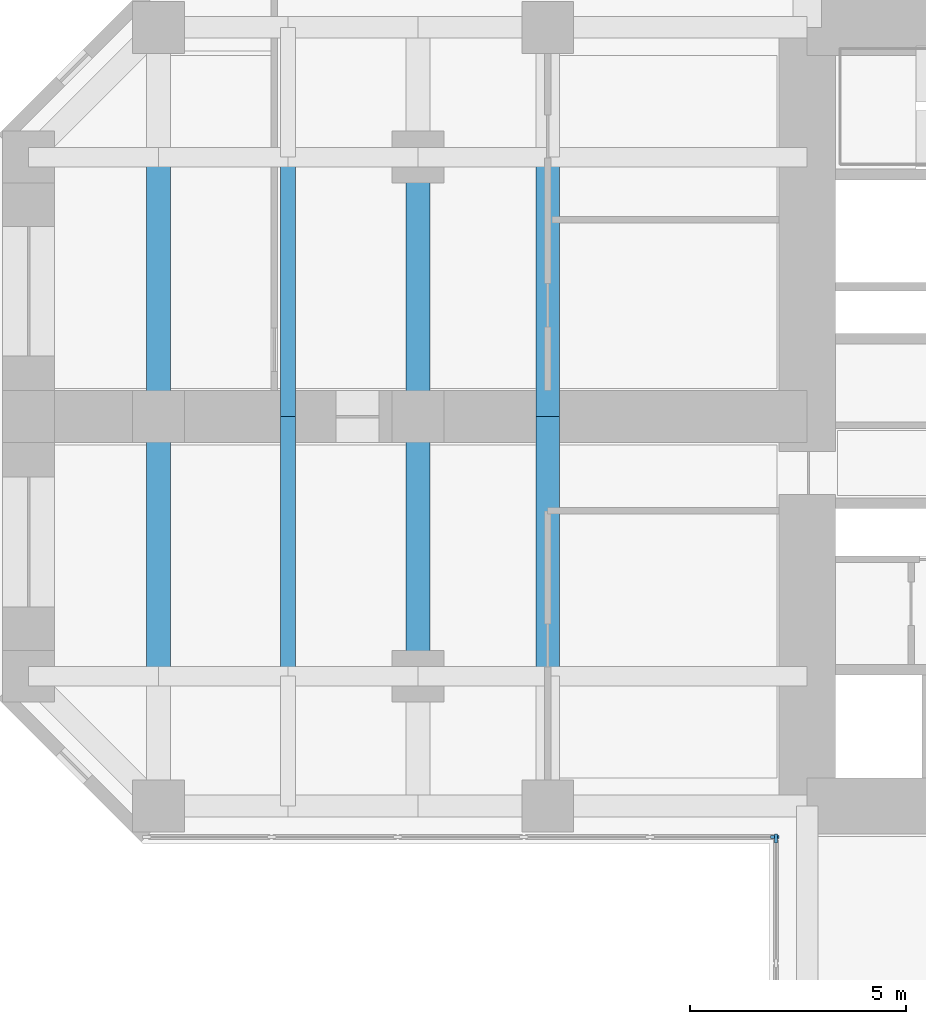
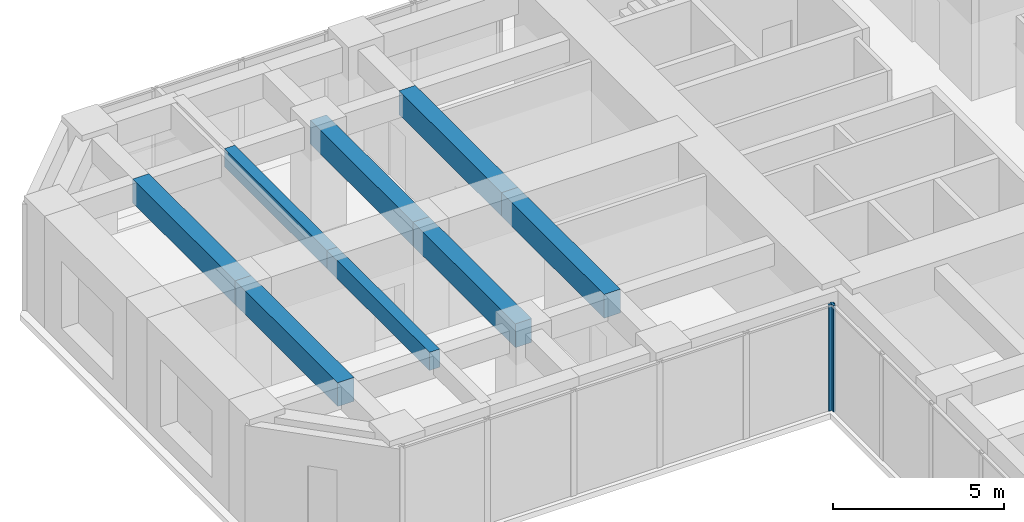
# One storey, part 3 of 12: 8 beams, 2 members, 2 elements without a shape of their own.
"""IFC4 building model written with IfcOpenShell, lengths in metres."""

from ifc_helpers import new_model, si_unit, direction, frame, origin, origin_2d, place, context, subcontext, project, spatial, rectangle, extrude, material, material_profile, profile_set, type_object, element, aggregate, save


model = new_model("IFC4")

# Units and contexts
model_context = context("Model", 3, precision=1e-05, world=origin(), true_north=direction((0.0, 1.0)))
body_context = subcontext(model_context, "Body", "Model", "MODEL_VIEW")
ifc_project = project(units=[si_unit("LENGTHUNIT", "METRE"), si_unit("AREAUNIT", "SQUARE_METRE"), si_unit("VOLUMEUNIT", "CUBIC_METRE"), si_unit("PLANEANGLEUNIT", "RADIAN"), si_unit("MASSUNIT", "GRAM", prefix="KILO")], contexts=[model_context])

# Site, building, storey
site_placement = place(None, origin())
site = spatial("IfcSite", under=ifc_project, at=site_placement, CompositionType="ELEMENT")
building_placement = place(site_placement, origin())
building = spatial("IfcBuilding", under=site, at=building_placement, Name="Torre Cruceta", CompositionType="ELEMENT")
storey_placement = place(building_placement, frame((0.0, 0.0, 87.5)))
storey = spatial("IfcBuildingStorey", under=building, at=storey_placement, Name="L21", CompositionType="ELEMENT", Elevation=87.5)

# Beams
ifc_material_1 = material(Name="Concrete G60 (fck 60 MPa)", Category="concrete")
ifc_material_profile_1 = material_profile(ifc_material_1, rectangle(XDim=0.550048828125, YDim=0.85009765625, at=origin_2d()), Name="RC 550X850")
ifc_profile_set_1 = profile_set([ifc_material_profile_1], Name="Concrete G60 (fck 60 MPa)")
beam_type_1 = type_object("IfcBeamType", Name="CROSS BEAM RC 550X850", PredefinedType="BEAM", material=ifc_profile_set_1)
for number, where, z_axis, x_axis, name in (
    (1, (-15.0, 6.0, 3.375), (0.0, -1.0, 0.0), (1.0, 0.0, 0.0), "GB4 L21 W cross15 2"),
    (2, (-15.0, 0.0, 3.375), (0.0, -1.0, 0.0), (1.0, 0.0, 0.0), "GB4 L21 W cross15 3"),
    (3, (-18.0, 6.0, 3.375), (0.0, -1.0, 0.0), (1.0, 0.0, 0.0), "GB4 L21 W cross18 2"),
    (4, (-18.0, 0.0, 3.375), (0.0, -1.0, 0.0), (1.0, 0.0, 0.0), "GB4 L21 W cross18 3"),
    (5, (-24.0, 6.0, 3.375), (0.0, -1.0, 0.0), (1.0, 0.0, 0.0), "GB4 L21 W cross24 2"),
    (6, (-24.0, 0.0, 3.375), (0.0, -1.0, 0.0), (1.0, 0.0, 0.0), "GB4 L21 W cross24 3"),
):
    element("IfcBeam", number, at=place(storey_placement, frame(where, z_axis=z_axis, x_axis=x_axis)), inside=storey, type_object=beam_type_1, Name=name, PredefinedType="BEAM", context=body_context, shape_type="SweptSolid", body=[
        extrude(rectangle(XDim=0.550048828125, YDim=0.85009765625, at=origin_2d()), origin(), (0.0, 0.0, 1.0), 6.0),
    ])

# Curtain wall, member
ifc_material_2 = material(Name="Aluminium unitised curtain wall", Category="aluminium")
curtain_wall_type = type_object("IfcCurtainWallType", Name="CURTAIN WALL CW-A OFFICE LOW RISE", PredefinedType="USERDEFINED", material=ifc_material_2)
curtain_wall_1_placement = place(storey_placement, origin())
curtain_wall_1 = element("IfcCurtainWall", 7, at=curtain_wall_1_placement, inside=storey, type_object=curtain_wall_type, Name="CW-A L21 W side 14", ObjectType="UNITISED", PredefinedType="USERDEFINED")
ifc_material_3 = material(Name="Aluminium mullion", Category="aluminium")
ifc_material_profile_2 = material_profile(ifc_material_3, rectangle(XDim=0.06494140625, YDim=0.199951171875, at=origin_2d()), Name="AL 65X200")
ifc_profile_set_2 = profile_set([ifc_material_profile_2], Name="Aluminium mullion")
member_type = type_object("IfcMemberType", Name="CW-A MULLION 65X200", PredefinedType="MULLION", material=ifc_profile_set_2)
member_1_placement = place(storey_placement, frame((-9.75244140625, -9.719970703125, 0.0), z_axis=(0.0, 0.0, 1.0), x_axis=(0.0, 1.0, 0.0)))
member_1 = element("IfcMember", 8, at=member_1_placement, type_object=member_type, Name="CW-A mullion 6", PredefinedType="MULLION", context=body_context, shape_type="SweptSolid", body=[
    extrude(rectangle(XDim=0.06494140625, YDim=0.199951171875, at=origin_2d()), origin(), (0.0, 0.0, 1.0), 3.800048828125),
])
aggregate(curtain_wall_1, [member_1])

curtain_wall_2_placement = place(storey_placement, origin())
curtain_wall_2 = element("IfcCurtainWall", 9, at=curtain_wall_2_placement, inside=storey, type_object=curtain_wall_type, Name="CW-A L21 S side 15", ObjectType="UNITISED", PredefinedType="USERDEFINED")
member_2_placement = place(storey_placement, frame((-9.719970703125, -9.75244140625, 0.0), z_axis=(0.0, 0.0, 1.0), x_axis=(1.0, 0.0, 0.0)))
member_2 = element("IfcMember", 10, at=member_2_placement, type_object=member_type, Name="CW-A mullion 1", PredefinedType="MULLION", context=body_context, shape_type="SweptSolid", body=[
    extrude(rectangle(XDim=0.06494140625, YDim=0.199951171875, at=origin_2d()), origin(), (0.0, 0.0, 1.0), 3.800048828125),
])
aggregate(curtain_wall_2, [member_2])

# Beams
ifc_material_4 = material(Name="Concrete G60 (fck 60 MPa)", Category="concrete")
ifc_material_profile_3 = material_profile(ifc_material_4, rectangle(XDim=0.35009765625, YDim=0.64990234375, at=origin_2d()), Name="RC 350X650")
ifc_profile_set_3 = profile_set([ifc_material_profile_3], Name="Concrete G60 (fck 60 MPa)")
beam_type_2 = type_object("IfcBeamType", Name="SECONDARY BEAM RC 350X650", PredefinedType="JOIST", material=ifc_profile_set_3)
for number, where, z_axis, x_axis, name in (
    (11, (-21.0, 6.0, 3.47509765625), (0.0, -1.0, 0.0), (1.0, 0.0, 0.0), "JB3 L21 W sec21 2"),
    (12, (-21.0, 0.0, 3.47509765625), (0.0, -1.0, 0.0), (1.0, 0.0, 0.0), "JB3 L21 W sec21 3"),
):
    element("IfcBeam", number, at=place(storey_placement, frame(where, z_axis=z_axis, x_axis=x_axis)), inside=storey, type_object=beam_type_2, Name=name, PredefinedType="JOIST", context=body_context, shape_type="SweptSolid", body=[
        extrude(rectangle(XDim=0.35009765625, YDim=0.64990234375, at=origin_2d()), origin(), (0.0, 0.0, 1.0), 6.0),
    ])

save(model, "model.ifc")
